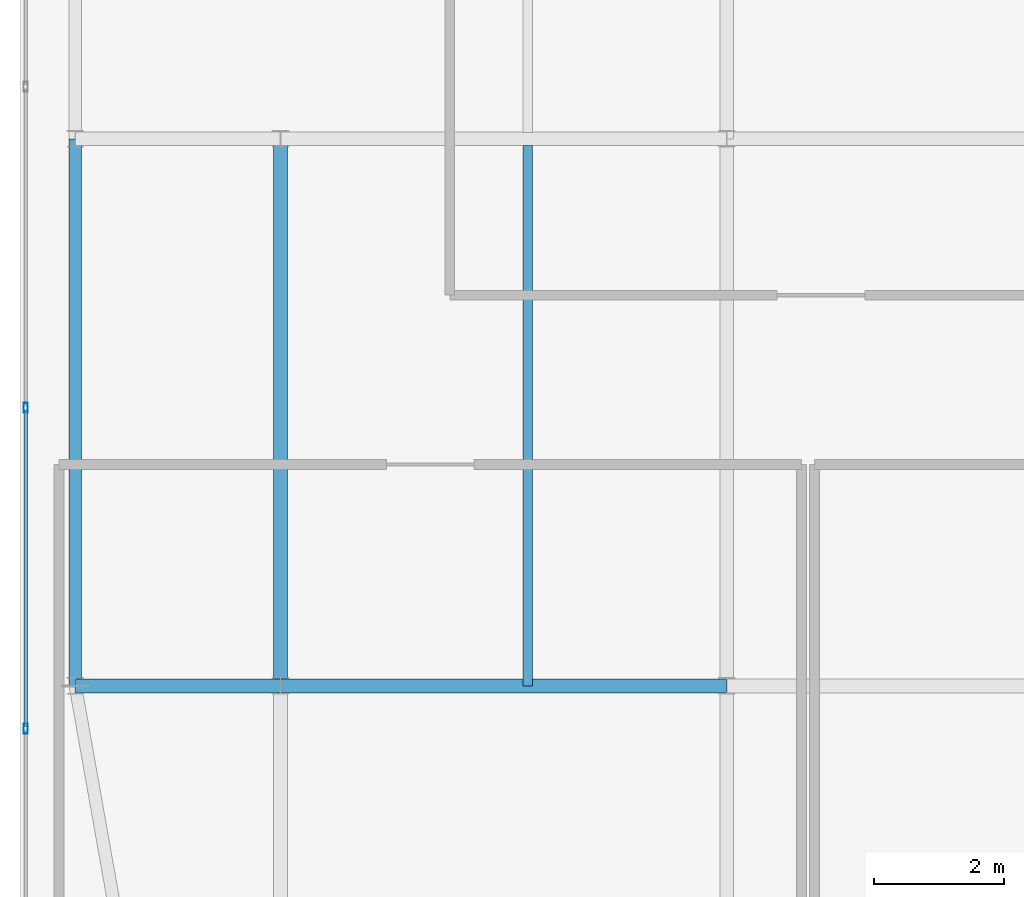
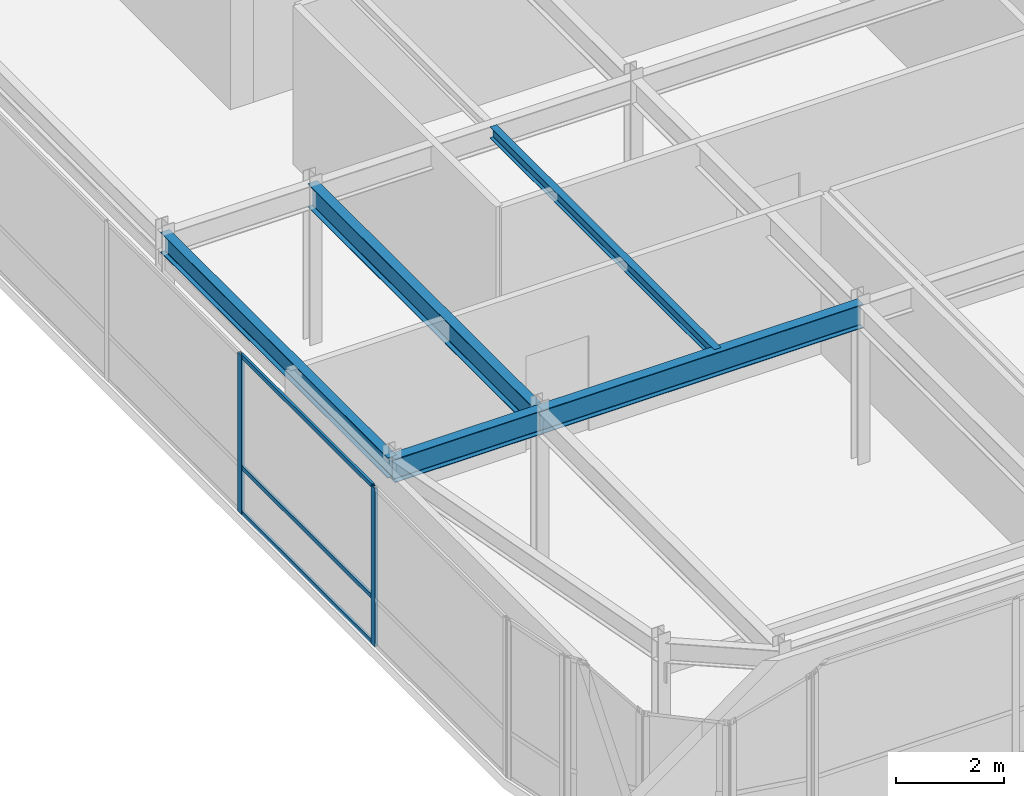
# One storey, part 8 of 36: 5 beams, 5 members, 1 element without a shape of its own.
"""IFC4 building model written with IfcOpenShell, lengths in metres."""

from ifc_helpers import new_model, si_unit, direction, frame, origin, origin_2d, place, context, subcontext, project, spatial, hollow_rectangle, i_section, extrude, source, transform, mapped, material, layer, layer_set, material_profile, profile_set, type_object, type_shapes, element, aggregate, save


model = new_model("IFC4")

# Units and contexts
model_context = context("Model", 3, precision=1e-05, world=origin(), true_north=direction((0.0, 1.0)))
body_context = subcontext(model_context, "Body", "Model", "MODEL_VIEW")
ifc_project = project(units=[si_unit("LENGTHUNIT", "METRE"), si_unit("AREAUNIT", "SQUARE_METRE"), si_unit("VOLUMEUNIT", "CUBIC_METRE"), si_unit("PLANEANGLEUNIT", "RADIAN"), si_unit("MASSUNIT", "GRAM", prefix="KILO")], contexts=[model_context])

# Site, building, storey
site_placement = place(None, origin())
site = spatial("IfcSite", under=ifc_project, at=site_placement, CompositionType="ELEMENT")
building_placement = place(site_placement, origin())
building = spatial("IfcBuilding", under=site, at=building_placement, Name="Tolvann Quenvar Hotel", CompositionType="ELEMENT")
storey_placement = place(building_placement, frame((0.0, 0.0, 306.14990234375)))
storey = spatial("IfcBuildingStorey", under=building, at=storey_placement, Name="L81", CompositionType="ELEMENT", Elevation=306.14990234375)

# Beams
ifc_material_1 = material(Name="Steel Grade 350", Category="steel")
ifc_material_profile_1 = material_profile(ifc_material_1, i_section(OverallWidth=0.208984375, OverallDepth=0.532958984375, WebThickness=0.01025390625, FlangeThickness=0.015625, FilletRadius=0.013916015625, at=origin_2d()), Name="530UB92")
ifc_profile_set_1 = profile_set([ifc_material_profile_1], Name="Steel Grade 350")
beam_type_1 = type_object("IfcBeamType", Name="BM_GIRD_530UB92", PredefinedType="BEAM", material=ifc_profile_set_1)
shared_shape_1 = source(origin(), body_context, "Body", "SweptSolid", [
    extrude(i_section(OverallWidth=0.208984375, OverallDepth=0.532958984375, WebThickness=0.01025390625, FlangeThickness=0.015625, FilletRadius=0.013916015625, at=origin_2d()), origin(), (0.0, 0.0, 1.0), 8.39990234375),
])
beam_1_placement = place(storey_placement, frame((7.60009765625, 16.0, 3.3134765625), z_axis=(0.0, 1.0, 0.0), x_axis=(-1.0, 0.0, 0.0)))
element("IfcBeam", 1, at=beam_1_placement, inside=storey, type_object=beam_type_1, Name="BM-L81-NS-C4-C5", PredefinedType="BEAM", context=body_context, shape_type="MappedRepresentation", body=[
    mapped(shared_shape_1, transform((0.0, 0.0, 0.0), x_axis=(1.0, 0.0, 0.0), y_axis=(0.0, 1.0, 0.0), z_axis=(0.0, 0.0, 1.0), scale=1.0)),
])
ifc_material_profile_2 = material_profile(ifc_material_1, i_section(OverallWidth=0.19091796875, OverallDepth=0.4599609375, WebThickness=0.010009765625, FlangeThickness=0.01611328125, FilletRadius=0.011474609375, at=origin_2d()), Name="460UB82")
ifc_profile_set_2 = profile_set([ifc_material_profile_2], Name="Steel Grade 350")
beam_type_2 = type_object("IfcBeamType", Name="BM_SPAND_460UB82", PredefinedType="SPANDREL", material=ifc_profile_set_2)
shared_shape_2 = source(origin(), body_context, "Body", "SweptSolid", [
    extrude(i_section(OverallWidth=0.19091796875, OverallDepth=0.4599609375, WebThickness=0.010009765625, FlangeThickness=0.01611328125, FilletRadius=0.011474609375, at=origin_2d()), origin(), (0.0, 0.0, 1.0), 8.39990234375),
])
type_shapes(beam_type_2, [shared_shape_2])
beam_2_placement = place(storey_placement, frame((4.449951171875, 16.0, 3.35009765625), z_axis=(0.0, 1.0, 0.0), x_axis=(-1.0, 0.0, 0.0)))
element("IfcBeam", 2, at=beam_2_placement, inside=storey, type_object=beam_type_2, Name="BM-L81-NS-B4-B5", PredefinedType="SPANDREL", context=body_context, shape_type="MappedRepresentation", body=[
    mapped(shared_shape_2, transform((0.0, 0.0, 0.0), x_axis=(1.0, 0.0, 0.0), y_axis=(0.0, 1.0, 0.0), z_axis=(0.0, 0.0, 1.0), scale=1.0)),
])
shared_shape_3 = source(origin(), body_context, "Body", "SweptSolid", [
    extrude(i_section(OverallWidth=0.208984375, OverallDepth=0.532958984375, WebThickness=0.01025390625, FlangeThickness=0.015625, FilletRadius=0.013916015625, at=origin_2d()), origin(), (0.0, 0.0, 1.0), 6.849853515625),
])
beam_3_placement = place(storey_placement, frame((7.60009765625, 16.0, 3.3134765625), z_axis=(1.0, 0.0, 0.0), x_axis=(0.0, 1.0, 0.0)))
element("IfcBeam", 3, at=beam_3_placement, inside=storey, type_object=beam_type_1, Name="BM-L81-EW-4-C4-D4", PredefinedType="BEAM", context=body_context, shape_type="MappedRepresentation", body=[
    mapped(shared_shape_3, transform((0.0, 0.0, 0.0), x_axis=(1.0, 0.0, 0.0), y_axis=(0.0, 1.0, 0.0), z_axis=(0.0, 0.0, 1.0), scale=1.0)),
])
shared_shape_4 = source(origin(), body_context, "Body", "SweptSolid", [
    extrude(i_section(OverallWidth=0.208984375, OverallDepth=0.532958984375, WebThickness=0.01025390625, FlangeThickness=0.015625, FilletRadius=0.013916015625, at=origin_2d()), origin(), (0.0, 0.0, 1.0), 3.150146484375),
])
type_shapes(beam_type_1, [shared_shape_1, shared_shape_3, shared_shape_4])
beam_4_placement = place(storey_placement, frame((4.449951171875, 16.0, 3.3134765625), z_axis=(1.0, 0.0, 0.0), x_axis=(0.0, 1.0, 0.0)))
element("IfcBeam", 4, at=beam_4_placement, inside=storey, type_object=beam_type_1, Name="BM-L81-EW-4-B4-C4", PredefinedType="BEAM", context=body_context, shape_type="MappedRepresentation", body=[
    mapped(shared_shape_4, transform((0.0, 0.0, 0.0), x_axis=(1.0, 0.0, 0.0), y_axis=(0.0, 1.0, 0.0), z_axis=(0.0, 0.0, 1.0), scale=1.0)),
])
ifc_material_profile_3 = material_profile(ifc_material_1, i_section(OverallWidth=0.14599609375, OverallDepth=0.256103515625, WebThickness=0.00634765625, FlangeThickness=0.010986328125, FilletRadius=0.0087890625, at=origin_2d()), Name="250UB37")
ifc_profile_set_3 = profile_set([ifc_material_profile_3], Name="Steel Grade 350")
beam_type_3 = type_object("IfcBeamType", Name="BM_JOIST_250UB37", PredefinedType="JOIST", material=ifc_profile_set_3)
shared_shape_5 = source(origin(), body_context, "Body", "SweptSolid", [
    extrude(i_section(OverallWidth=0.14599609375, OverallDepth=0.256103515625, WebThickness=0.00634765625, FlangeThickness=0.010986328125, FilletRadius=0.0087890625, at=origin_2d()), origin(), (0.0, 0.0, 1.0), 8.301513671875),
])
type_shapes(beam_type_3, [shared_shape_5])
beam_5_placement = place(storey_placement, frame((11.39990234375, 16.0, 3.4521484375), z_axis=(0.0, 1.0, 0.0), x_axis=(-1.0, 0.0, 0.0)))
element("IfcBeam", 5, at=beam_5_placement, inside=storey, type_object=beam_type_3, Name="BJ-L81-114-160", PredefinedType="JOIST", context=body_context, shape_type="MappedRepresentation", body=[
    mapped(shared_shape_5, transform((0.0, 0.0, 0.0), x_axis=(1.0, 0.0, 0.0), y_axis=(0.0, 1.0, 0.0), z_axis=(0.0, 0.0, 1.0), scale=1.0)),
])

# Curtain wall, members
ifc_material_2 = material(Name="Thermally broken anodised architectural aluminium 6063-T6 and laminated low-E glass", Category="aluminium")
ifc_layer = layer(ifc_material_2, 0.179931640625)
ifc_layer_set = layer_set([ifc_layer], Name="Thermally broken anodised architectural aluminium 6063-T6 and laminated low-E glass")
curtain_wall_type = type_object("IfcCurtainWallType", Name="CW_SYS_LANT_06", PredefinedType="USERDEFINED", material=ifc_layer_set)
curtain_wall_placement = place(storey_placement, origin())
curtain_wall = element("IfcCurtainWall", 6, at=curtain_wall_placement, inside=storey, type_object=curtain_wall_type, Name="Curtain Wall CW-LANT-06 (CWR-L81-E19)", ObjectType="UNITISED CURTAIN WALL", PredefinedType="USERDEFINED")
ifc_material_3 = material(Name="Anodised architectural aluminium 6063-T6 framing", Category="aluminium")
ifc_material_profile_4 = material_profile(ifc_material_3, hollow_rectangle(XDim=0.06494140625, YDim=0.14990234375, WallThickness=0.00390625, at=origin_2d()), Name="150x65x4RHS")
ifc_profile_set_4 = profile_set([ifc_material_profile_4], Name="Anodised architectural aluminium 6063-T6 framing")
member_type_1 = type_object("IfcMemberType", Name="CW_MULL_150x65", PredefinedType="MULLION", material=ifc_profile_set_4)
shared_shape_6 = source(origin(), body_context, "Body", "SweptSolid", [
    extrude(hollow_rectangle(XDim=0.06494140625, YDim=0.14990234375, WallThickness=0.00390625, at=origin_2d()), origin(), (0.0, 0.0, 1.0), 3.580078125),
])
type_shapes(member_type_1, [shared_shape_6])
member_1_placement = place(storey_placement, frame((3.68994140625, 20.2724609375, 0.0), z_axis=(0.0, 0.0, 1.0), x_axis=(1.0, 0.0, 0.0)))
member_1 = element("IfcMember", 7, at=member_1_placement, type_object=member_type_1, Name="CW-LANT-06 mullion 5", PredefinedType="MULLION", context=body_context, shape_type="MappedRepresentation", body=[
    mapped(shared_shape_6, transform((0.0, 0.0, 0.0), x_axis=(1.0, 0.0, 0.0), y_axis=(0.0, 1.0, 0.0), z_axis=(0.0, 0.0, 1.0), scale=1.0)),
])
member_2_placement = place(storey_placement, frame((3.68994140625, 15.3447265625, 0.0), z_axis=(0.0, 0.0, 1.0), x_axis=(1.0, 0.0, 0.0)))
member_2 = element("IfcMember", 8, at=member_2_placement, type_object=member_type_1, Name="CW-LANT-06 mullion 6", PredefinedType="MULLION", context=body_context, shape_type="MappedRepresentation", body=[
    mapped(shared_shape_6, transform((0.0, 0.0, 0.0), x_axis=(1.0, 0.0, 0.0), y_axis=(0.0, 1.0, 0.0), z_axis=(0.0, 0.0, 1.0), scale=1.0)),
])
ifc_material_profile_5 = material_profile(ifc_material_3, hollow_rectangle(XDim=0.050048828125, YDim=0.10009765625, WallThickness=0.0029296875, at=origin_2d()), Name="100x50x3RHS")
ifc_profile_set_5 = profile_set([ifc_material_profile_5], Name="Anodised architectural aluminium 6063-T6 framing")
member_type_2 = type_object("IfcMemberType", Name="CW_TRAN_100x50", PredefinedType="USERDEFINED", material=ifc_profile_set_5)
shared_shape_7 = source(origin(), body_context, "Body", "SweptSolid", [
    extrude(hollow_rectangle(XDim=0.050048828125, YDim=0.10009765625, WallThickness=0.0029296875, at=origin_2d()), origin(), (0.0, 0.0, 1.0), 4.86279296875),
])
type_shapes(member_type_2, [shared_shape_7])
member_3_placement = place(storey_placement, frame((3.68994140625, 20.239990234375, 0.025146484375), z_axis=(0.0, -1.0, 0.0), x_axis=(1.0, 0.0, 0.0)))
member_3 = element("IfcMember", 9, at=member_3_placement, type_object=member_type_2, Name="CW-LANT-06 transom 5.1", ObjectType="TRANSOM", PredefinedType="USERDEFINED", context=body_context, shape_type="MappedRepresentation", body=[
    mapped(shared_shape_7, transform((0.0, 0.0, 0.0), x_axis=(1.0, 0.0, 0.0), y_axis=(0.0, 1.0, 0.0), z_axis=(0.0, 0.0, 1.0), scale=1.0)),
])
member_4_placement = place(storey_placement, frame((3.68994140625, 20.239990234375, 1.050048828125), z_axis=(0.0, -1.0, 0.0), x_axis=(1.0, 0.0, 0.0)))
member_4 = element("IfcMember", 10, at=member_4_placement, type_object=member_type_2, Name="CW-LANT-06 transom 5.2", ObjectType="TRANSOM", PredefinedType="USERDEFINED", context=body_context, shape_type="MappedRepresentation", body=[
    mapped(shared_shape_7, transform((0.0, 0.0, 0.0), x_axis=(1.0, 0.0, 0.0), y_axis=(0.0, 1.0, 0.0), z_axis=(0.0, 0.0, 1.0), scale=1.0)),
])
member_5_placement = place(storey_placement, frame((3.68994140625, 20.239990234375, 3.55517578125), z_axis=(0.0, -1.0, 0.0), x_axis=(1.0, 0.0, 0.0)))
member_5 = element("IfcMember", 11, at=member_5_placement, type_object=member_type_2, Name="CW-LANT-06 transom 5.3", ObjectType="TRANSOM", PredefinedType="USERDEFINED", context=body_context, shape_type="MappedRepresentation", body=[
    mapped(shared_shape_7, transform((0.0, 0.0, 0.0), x_axis=(1.0, 0.0, 0.0), y_axis=(0.0, 1.0, 0.0), z_axis=(0.0, 0.0, 1.0), scale=1.0)),
])
aggregate(curtain_wall, [member_1, member_2, member_3, member_4, member_5])

save(model, "model.ifc")
